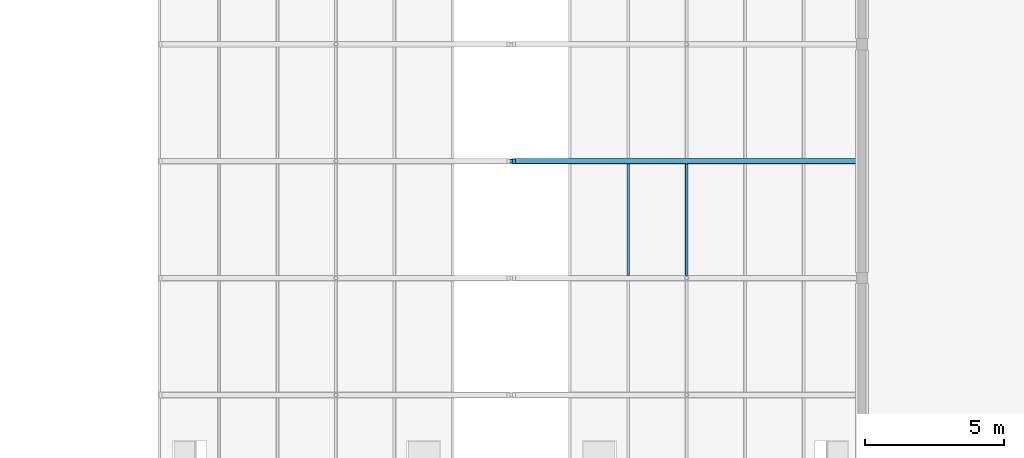
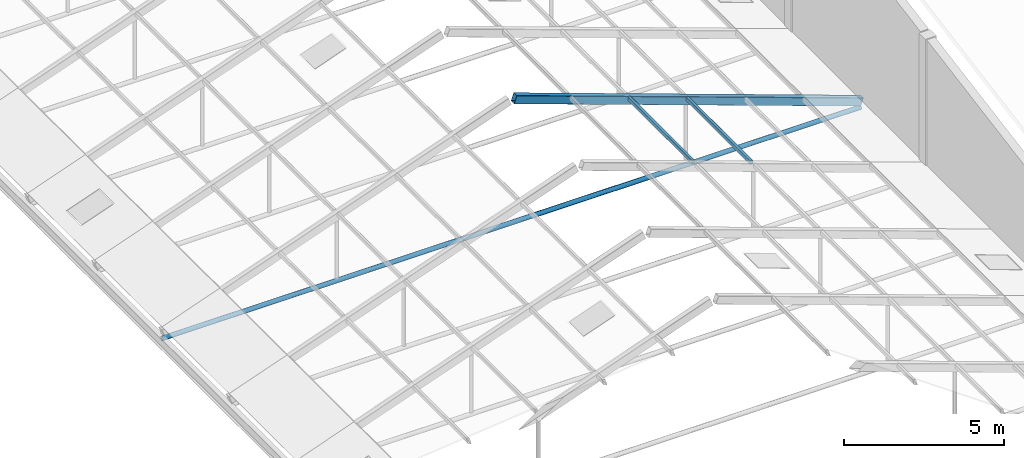
# One storey, part 51 of 116: 4 members.
"""IFC4 building model written with IfcOpenShell, lengths in metres."""

from ifc_helpers import new_model, si_unit, direction, frame, origin, origin_2d, place, context, subcontext, project, spatial, hollow_rectangle, hollow_circle, extrude, material, material_profile, profile_set, type_object, element, save


model = new_model("IFC4")

# Units and contexts
model_context = context("Model", 3, precision=1e-05, world=origin(), true_north=direction((0.0, 1.0)))
body_context = subcontext(model_context, "Body", "Model", "MODEL_VIEW")
ifc_project = project(units=[si_unit("LENGTHUNIT", "METRE"), si_unit("AREAUNIT", "SQUARE_METRE"), si_unit("VOLUMEUNIT", "CUBIC_METRE"), si_unit("PLANEANGLEUNIT", "RADIAN"), si_unit("MASSUNIT", "GRAM", prefix="KILO")], contexts=[model_context])

# Site, building, storey
site_placement = place(None, origin())
site = spatial("IfcSite", under=ifc_project, at=site_placement, CompositionType="ELEMENT")
building_placement = place(site_placement, origin())
building = spatial("IfcBuilding", under=site, at=building_placement, Name="Fescue Hill Polytechnic", CompositionType="ELEMENT")
storey_placement = place(building_placement, frame((0.0, 0.0, 13.5)))
storey = spatial("IfcBuildingStorey", under=building, at=storey_placement, Name="L03", CompositionType="ELEMENT", Elevation=13.5)

# Members
ifc_material = material(Name="Steel 350W (350 MPa)", Category="steel")
ifc_material_profile_1 = material_profile(ifc_material, hollow_rectangle(XDim=0.1015625, YDim=0.15234375, WallThickness=0.00634765625, InnerFilletRadius=0.00634765625, OuterFilletRadius=0.0126953125, at=origin_2d()), Name="Winter garden glazing purlin HSS 152x102x6.4")
ifc_profile_set_1 = profile_set([ifc_material_profile_1], Name="Steel 350W (350 MPa)")
member_type_1 = type_object("IfcMemberType", Name="Winter garden glazing purlin HSS 152x102x6.4", PredefinedType="PURLIN", material=ifc_profile_set_1)
for number, where, z_axis, x_axis, name in (
    (1, (111.30029296875, 75.70166015625, 2.914306640625), (0.0, 1.0, 0.0), (-1.0, 0.0, 0.0), "Winter garden glazing purlin E3 bay 7"),
    (2, (109.200439453125, 75.70166015625, 3.664306640625), (0.0, 1.0, 0.0), (-1.0, 0.0, 0.0), "Winter garden glazing purlin E4 bay 7"),
):
    element("IfcMember", number, at=place(storey_placement, frame(where, z_axis=z_axis, x_axis=x_axis)), inside=storey, type_object=member_type_1, Name=name, PredefinedType="PURLIN", context=body_context, shape_type="SweptSolid", body=[
        extrude(hollow_rectangle(XDim=0.1015625, YDim=0.15234375, WallThickness=0.00634765625, InnerFilletRadius=0.00634765625, OuterFilletRadius=0.0126953125, at=origin_2d()), origin(), (0.0, 0.0, 1.0), 3.996826171875),
    ])
ifc_material_profile_2 = material_profile(ifc_material, hollow_rectangle(XDim=0.203125, YDim=0.3046875, WallThickness=0.009521484375, InnerFilletRadius=0.009521484375, OuterFilletRadius=0.01904296875, at=origin_2d()), Name="Winter garden rafter HSS 305x203x9.5")
ifc_profile_set_2 = profile_set([ifc_material_profile_2], Name="Steel 350W (350 MPa)")
member_type_2 = type_object("IfcMemberType", Name="Winter garden rafter HSS 305x203x9.5", PredefinedType="RAFTER", material=ifc_profile_set_2)
member_1_placement = place(storey_placement, frame((117.60009765625, 79.800048828125, 0.578857421875), z_axis=(-0.941740247025, 0.0, 0.336341057756), x_axis=(0.0, -1.0, 0.0)))
element("IfcMember", 3, at=member_1_placement, inside=storey, type_object=member_type_2, Name="Winter garden rafter E8", PredefinedType="RAFTER", context=body_context, shape_type="SweptSolid", body=[
    extrude(hollow_rectangle(XDim=0.203125, YDim=0.3046875, WallThickness=0.009521484375, InnerFilletRadius=0.009521484375, OuterFilletRadius=0.01904296875, at=origin_2d()), origin(), (0.0, 0.0, 1.0), 13.273193359375),
])
ifc_material_profile_3 = material_profile(ifc_material, hollow_circle(Radius=0.084228515625, WallThickness=0.009521484375, at=origin_2d()), Name="Winter garden tie CHS 168x9.5")
ifc_profile_set_3 = profile_set([ifc_material_profile_3], Name="Steel 350W (350 MPa)")
member_type_3 = type_object("IfcMemberType", Name="Winter garden tie CHS 168x9.5", PredefinedType="STRUT", material=ifc_profile_set_3)
member_2_placement = place(storey_placement, frame((92.39990234375, 79.800048828125, 0.332763671875), z_axis=(1.0, 0.0, 0.0), x_axis=(0.0, 1.0, 0.0)))
element("IfcMember", 4, at=member_2_placement, inside=storey, type_object=member_type_3, Name="Winter garden tie 8", PredefinedType="STRUT", context=body_context, shape_type="SweptSolid", body=[
    extrude(hollow_circle(Radius=0.084228515625, WallThickness=0.009521484375, at=origin_2d()), origin(), (0.0, 0.0, 1.0), 25.2001953125),
])

save(model, "model.ifc")
